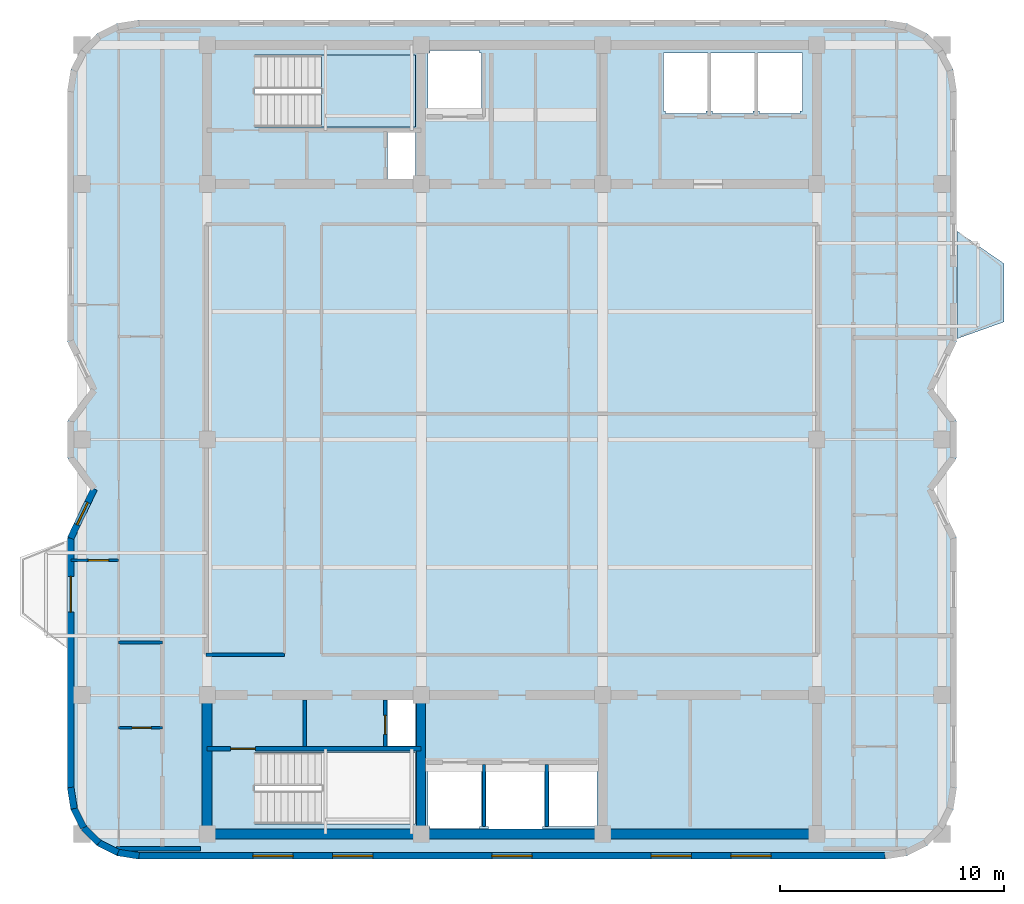
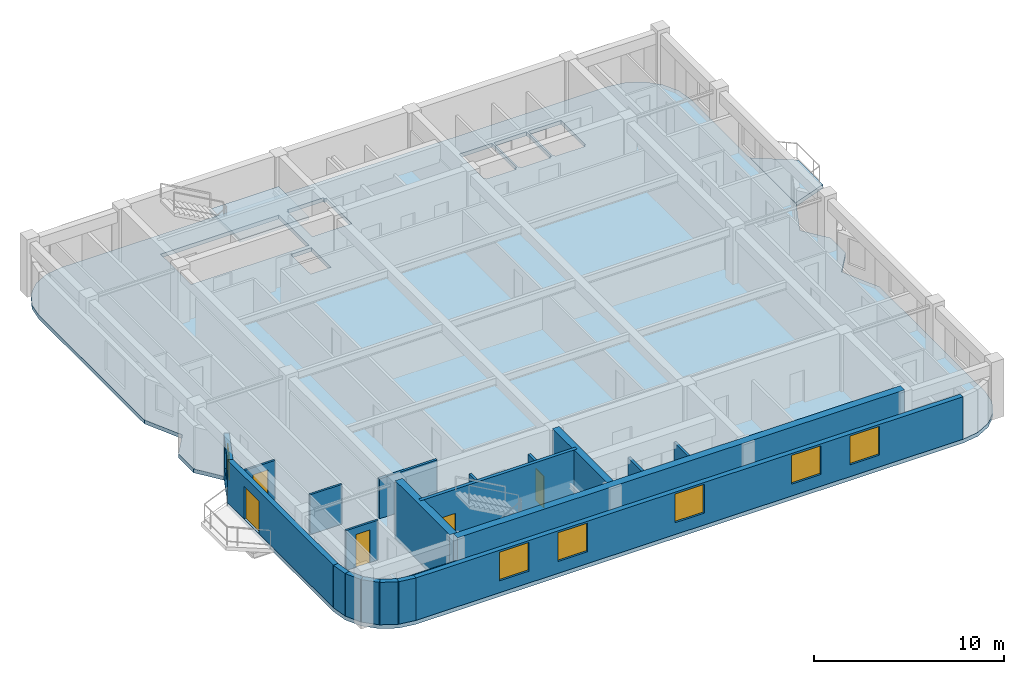
# One storey, part 2 of 8: 21 walls, 6 windows, 5 doors, 3 slabs, 11 openings, 1 element without a shape of its own.
"""IFC4 building model written with IfcOpenShell, lengths in metres."""

from ifc_helpers import new_model, si_unit, direction, frame, frame_2d, origin, place, context, subcontext, project, spatial, polyline, rectangle, outline, extrude, material, layer, layer_set, type_object, element, fill, aggregate, save


model = new_model("IFC4")

# Units and contexts
model_context = context("Model", 3, precision=1e-05, world=origin(), true_north=direction((0.0, 1.0)))
body_context = subcontext(model_context, "Body", "Model", "MODEL_VIEW")
ifc_project = project(units=[si_unit("LENGTHUNIT", "METRE"), si_unit("AREAUNIT", "SQUARE_METRE"), si_unit("VOLUMEUNIT", "CUBIC_METRE"), si_unit("PLANEANGLEUNIT", "RADIAN"), si_unit("MASSUNIT", "GRAM", prefix="KILO")], contexts=[model_context])

# Site, building, storey
site_placement = place(None, origin())
site = spatial("IfcSite", under=ifc_project, at=site_placement, CompositionType="ELEMENT")
building_placement = place(site_placement, origin())
building = spatial("IfcBuilding", under=site, at=building_placement, Name="Svetorya Sky Lyceum", CompositionType="ELEMENT")
storey_placement = place(building_placement, frame((0.0, 0.0, 278.699951171875)))
storey = spatial("IfcBuildingStorey", under=building, at=storey_placement, Name="L70", CompositionType="ELEMENT", Elevation=278.699951171875)

# Slab
ifc_material_1 = material(Name="Concrete C40/50", Category="concrete")
ifc_layer_1 = layer(ifc_material_1, 0.25)
ifc_layer_set_1 = layer_set([ifc_layer_1], Name="Concrete C40/50")
slab_type_1 = type_object("IfcSlabType", Name="SL-BAL-250", PredefinedType="FLOOR", material=ifc_layer_set_1)
slab_1_placement = place(storey_placement, frame((0.0, 0.0, -0.25)))
element("IfcSlab", 1, at=slab_1_placement, inside=storey, type_object=slab_type_1, Name="L70 Chamfered Loggia Balcony BAL-E1", PredefinedType="FLOOR", context=body_context, shape_type="SweptSolid", body=[
    extrude(outline(polyline([(59.050048828125, 32.699951171875), (61.14990234375, 33.449951171875), (61.14990234375, 36.050048828125), (59.050048828125, 37.5), (59.050048828125, 32.699951171875)])), origin(), (0.0, 0.0, 1.0), 0.25),
])

# Stair, slab
stair_type = type_object("IfcStairType", Name="STR-ST-N", PredefinedType="HALF_TURN_STAIR", material=ifc_material_1)
stair_placement = place(storey_placement, origin())
stair = element("IfcStair", 2, at=stair_placement, inside=storey, type_object=stair_type, Name="L70 North Core Smoke-Free Exit Stair N3", PredefinedType="HALF_TURN_STAIR")
ifc_layer_2 = layer(ifc_material_1, 0.199951171875)
ifc_layer_set_2 = layer_set([ifc_layer_2], Name="Concrete C40/50")
slab_type_2 = type_object("IfcSlabType", Name="SL-STR-LAND-200", PredefinedType="LANDING", material=ifc_layer_set_2)
slab_2_placement = place(storey_placement, frame((0.0, 0.0, 1.650146484375)))
slab_2 = element("IfcSlab", 3, at=slab_2_placement, type_object=slab_type_2, Name="ST-N landing 1", PredefinedType="LANDING", context=body_context, shape_type="SweptSolid", body=[
    extrude(outline(polyline([(30.699951171875, 42.14990234375), (34.89990234375, 42.14990234375), (34.89990234375, 45.35009765625), (30.699951171875, 45.35009765625), (30.699951171875, 42.14990234375)])), origin(), (0.0, 0.0, 1.0), 0.199951171875),
])
aggregate(stair, [slab_2])

# Slab
ifc_layer_3 = layer(ifc_material_1, 0.25)
ifc_layer_set_3 = layer_set([ifc_layer_3], Name="Concrete C40/50")
slab_type_3 = type_object("IfcSlabType", Name="SL-TWR-250", PredefinedType="FLOOR", material=ifc_layer_set_3)
slab_3_placement = place(storey_placement, frame((0.0, 0.0, -0.25)))
element("IfcSlab", 4, at=slab_3_placement, inside=storey, type_object=slab_type_3, Name="L70 Structural Floor Slab", PredefinedType="FLOOR", context=body_context, shape_type="SweptSolid", body=[
    extrude(outline(polyline([(19.360107421875, 12.679931640625), (19.5166015625, 11.691162109375), (19.97119140625, 10.799072265625), (20.67919921875, 10.091064453125), (21.571044921875, 9.63671875), (22.56005859375, 9.47998046875), (55.840087890625, 9.47998046875), (56.828857421875, 9.63671875), (57.720947265625, 10.091064453125), (58.428955078125, 10.799072265625), (58.88330078125, 11.691162109375), (59.0400390625, 12.679931640625), (59.0400390625, 23.800048828125), (57.989990234375, 26.0), (59.0400390625, 27.39990234375), (59.0400390625, 29.0), (57.989990234375, 30.39990234375), (59.0400390625, 32.60009765625), (59.0400390625, 43.719970703125), (58.88330078125, 44.708984375), (58.428955078125, 45.600830078125), (57.720947265625, 46.308837890625), (56.828857421875, 46.763427734375), (55.840087890625, 46.919921875), (22.56005859375, 46.919921875), (21.571044921875, 46.763427734375), (20.67919921875, 46.308837890625), (19.97119140625, 45.600830078125), (19.5166015625, 44.708984375), (19.360107421875, 43.719970703125), (19.360107421875, 32.60009765625), (20.409912109375, 30.39990234375), (19.360107421875, 29.0), (19.360107421875, 27.39990234375), (20.409912109375, 26.0), (19.360107421875, 23.800048828125), (19.360107421875, 12.679931640625)]), holes=[polyline([(37.85009765625, 10.949951171875), (37.75, 10.949951171875), (37.75, 10.85009765625), (35.550048828125, 10.85009765625), (35.550048828125, 10.949951171875), (35.449951171875, 10.949951171875), (35.449951171875, 13.64990234375), (35.550048828125, 13.64990234375), (37.75, 13.64990234375), (37.85009765625, 13.64990234375), (37.85009765625, 10.949951171875)]), polyline([(38.14990234375, 10.800048828125), (38.14990234375, 10.949951171875), (38.050048828125, 10.949951171875), (38.050048828125, 13.64990234375), (38.14990234375, 13.64990234375), (38.14990234375, 13.699951171875), (40.550048828125, 13.699951171875), (40.550048828125, 13.64990234375), (40.64990234375, 13.64990234375), (40.64990234375, 10.949951171875), (40.550048828125, 10.949951171875), (40.550048828125, 10.800048828125), (38.14990234375, 10.800048828125)]), polyline([(27.719970703125, 11.050048828125), (27.719970703125, 14.25), (34.89990234375, 14.25), (34.89990234375, 11.050048828125), (27.719970703125, 11.050048828125)]), polyline([(33.64990234375, 14.52001953125), (33.64990234375, 16.580078125), (34.89990234375, 16.580078125), (34.89990234375, 14.52001953125), (33.64990234375, 14.52001953125)]), polyline([(33.64990234375, 39.820068359375), (33.64990234375, 41.89990234375), (34.89990234375, 41.89990234375), (34.89990234375, 39.820068359375), (33.64990234375, 39.820068359375)]), polyline([(27.719970703125, 42.14990234375), (27.719970703125, 45.35009765625), (34.89990234375, 45.35009765625), (34.89990234375, 42.14990234375), (27.719970703125, 42.14990234375)]), polyline([(37.75, 42.75), (35.550048828125, 42.75), (35.449951171875, 42.75), (35.449951171875, 45.449951171875), (35.550048828125, 45.449951171875), (35.550048828125, 45.550048828125), (37.75, 45.550048828125), (37.75, 45.449951171875), (37.85009765625, 45.449951171875), (37.85009765625, 42.75), (37.75, 42.75)]), polyline([(40.85009765625, 10.949951171875), (40.85009765625, 13.64990234375), (43.0, 13.64990234375), (43.0, 10.949951171875), (40.85009765625, 10.949951171875)]), polyline([(46.050048828125, 42.75), (46.050048828125, 42.85009765625), (45.949951171875, 42.85009765625), (45.949951171875, 45.449951171875), (46.050048828125, 45.449951171875), (47.85009765625, 45.449951171875), (47.949951171875, 45.449951171875), (47.949951171875, 42.85009765625), (47.85009765625, 42.85009765625), (47.85009765625, 42.75), (46.050048828125, 42.75)]), polyline([(50.050048828125, 42.85009765625), (49.949951171875, 42.85009765625), (49.949951171875, 42.75), (48.14990234375, 42.75), (48.14990234375, 42.85009765625), (48.050048828125, 42.85009765625), (48.050048828125, 45.449951171875), (48.14990234375, 45.449951171875), (49.949951171875, 45.449951171875), (50.050048828125, 45.449951171875), (50.050048828125, 42.85009765625)]), polyline([(52.14990234375, 42.85009765625), (52.050048828125, 42.85009765625), (52.050048828125, 42.75), (50.25, 42.75), (50.25, 42.85009765625), (50.14990234375, 42.85009765625), (50.14990234375, 45.449951171875), (50.25, 45.449951171875), (52.050048828125, 45.449951171875), (52.14990234375, 45.449951171875), (52.14990234375, 42.85009765625)])]), origin(), (0.0, 0.0, 1.0), 0.25),
])

# Walls
ifc_layer_4 = layer(ifc_material_1, 0.39990234375)
ifc_layer_set_4 = layer_set([ifc_layer_4], Name="Concrete C40/50")
wall_type_1 = type_object("IfcWallType", Name="WL-CORE-400", PredefinedType="SHEAR", material=ifc_layer_set_4)
wall_1_placement = place(storey_placement, frame((35.14990234375, 10.824951171875, 0.0), z_axis=(0.0, 0.0, 1.0), x_axis=(0.0, 1.0, 0.0)))
element("IfcWall", 5, at=wall_1_placement, inside=storey, type_object=wall_type_1, Name="L70 SC Internal Shear Web WEB1", PredefinedType="SHEAR", context=body_context, shape_type="SweptSolid", body=[
    extrude(rectangle(XDim=5.75, YDim=0.39990234375, at=frame_2d((2.875, 0.0))), origin(), (0.0, 0.0, 1.0), 3.699951171875),
])
ifc_material_2 = material(Name="Concrete C50/60", Category="concrete")
ifc_layer_5 = layer(ifc_material_2, 0.449951171875)
ifc_layer_set_5 = layer_set([ifc_layer_5], Name="Concrete C50/60")
wall_type_2 = type_object("IfcWallType", Name="WL-CORE-450", PredefinedType="SHEAR", material=ifc_layer_set_5)
wall_2_placement = place(storey_placement, frame((52.800048828125, 10.60009765625, 0.0), z_axis=(0.0, 0.0, 1.0), x_axis=(-1.0, 0.0, 0.0)))
element("IfcWall", 6, at=wall_2_placement, inside=storey, type_object=wall_type_2, Name="L70 SC Outer Core Shear Wall", PredefinedType="SHEAR", context=body_context, shape_type="SweptSolid", body=[
    extrude(rectangle(XDim=27.199951171875, YDim=0.449951171875, at=frame_2d((13.60009765625, 0.0))), origin(), (0.0, 0.0, 1.0), 3.699951171875),
])
wall_3_placement = place(storey_placement, frame((25.60009765625, 10.824951171875, 0.0), z_axis=(0.0, 0.0, 1.0), x_axis=(0.0, 1.0, 0.0)))
element("IfcWall", 7, at=wall_3_placement, inside=storey, type_object=wall_type_2, Name="L70 SC West Core Shear Wall", PredefinedType="SHEAR", context=body_context, shape_type="SweptSolid", body=[
    extrude(rectangle(XDim=5.75, YDim=0.449951171875, at=frame_2d((2.875, 0.0))), origin(), (0.0, 0.0, 1.0), 3.699951171875),
])
ifc_material_3 = material(Name="Putilovo limestone rainscreen on autoclaved cellular masonry", Category="masonry")
ifc_layer_6 = layer(ifc_material_3, 0.300048828125)
ifc_layer_set_6 = layer_set([ifc_layer_6], Name="Putilovo limestone rainscreen on autoclaved cellular masonry")
wall_type_3 = type_object("IfcWallType", Name="WL-EXT-300", PredefinedType="SOLIDWALL", material=ifc_layer_set_6)
wall_4_placement = place(storey_placement, frame((19.510009765625, 12.679931640625, 0.0), z_axis=(0.0, 0.0, 1.0), x_axis=(0.156343617883, -0.987702725088, 0.0)))
element("IfcWall", 8, at=wall_4_placement, inside=storey, type_object=wall_type_3, Name="L70 Limestone Exterior Wall 1M", PredefinedType="SOLIDWALL", context=body_context, shape_type="SweptSolid", body=[
    extrude(rectangle(XDim=0.9541015625, YDim=0.300048828125, at=frame_2d((0.47705078125, 0.0))), origin(), (0.0, 0.0, 1.0), 2.72998046875),
])
for number, where, z_axis, x_axis, name in (
    (9, (19.6591796875, 11.737548828125, 0.0), (0.0, 0.0, 1.0), (0.454056065666, -0.890973113642, 0.0), "L70 Limestone Exterior Wall 2M"),
    (10, (20.092529296875, 10.88720703125, 0.0), (0.0, 0.0, 1.0), (0.707106781187, -0.707106781187, 0.0), "L70 Limestone Exterior Wall 3M"),
):
    element("IfcWall", number, at=place(storey_placement, frame(where, z_axis=z_axis, x_axis=x_axis)), inside=storey, type_object=wall_type_3, Name=name, PredefinedType="SOLIDWALL", context=body_context, shape_type="SweptSolid", body=[
        extrude(rectangle(XDim=0.954345703125, YDim=0.300048828125, at=frame_2d((0.47705078125, 0.0))), origin(), (0.0, 0.0, 1.0), 2.72998046875),
    ])
wall_5_placement = place(storey_placement, frame((20.767333984375, 10.21240234375, 0.0), z_axis=(0.0, 0.0, 1.0), x_axis=(0.891023873617, -0.45395644796, 0.0)))
element("IfcWall", 11, at=wall_5_placement, inside=storey, type_object=wall_type_3, Name="L70 Limestone Exterior Wall 4M", PredefinedType="SOLIDWALL", context=body_context, shape_type="SweptSolid", body=[
    extrude(rectangle(XDim=0.9541015625, YDim=0.300048828125, at=frame_2d((0.47705078125, 0.0))), origin(), (0.0, 0.0, 1.0), 2.72998046875),
])
wall_6_placement = place(storey_placement, frame((21.617431640625, 9.779296875, 0.0), z_axis=(0.0, 0.0, 1.0), x_axis=(0.987669453596, -0.156553666304, 0.0)))
element("IfcWall", 12, at=wall_6_placement, inside=storey, type_object=wall_type_3, Name="L70 Limestone Exterior Wall 5M", PredefinedType="SOLIDWALL", context=body_context, shape_type="SweptSolid", body=[
    extrude(rectangle(XDim=0.954345703125, YDim=0.300048828125, at=frame_2d((0.47705078125, 0.0))), origin(), (0.0, 0.0, 1.0), 2.72998046875),
])

# Wall, openings, windows
wall_7_placement = place(storey_placement, frame((22.56005859375, 9.6298828125, 0.0), z_axis=(0.0, 0.0, 1.0), x_axis=(1.0, 0.0, 0.0)))
wall_7 = element("IfcWall", 13, at=wall_7_placement, inside=storey, type_object=wall_type_3, Name="L70 Limestone Exterior Wall 6M", PredefinedType="SOLIDWALL", context=body_context, shape_type="SweptSolid", body=[
    extrude(rectangle(XDim=33.280029296875, YDim=0.300048828125, at=frame_2d((16.64013671875, 0.0))), origin(), (0.0, 0.0, 1.0), 2.72998046875),
])
opening_1_placement = place(wall_7_placement, frame((5.080078125, 0.0, 0.760009765625)))
opening_1 = element("IfcOpeningElement", 14, at=opening_1_placement, cuts=wall_7, Name="Opening W-R1", PredefinedType="OPENING", context=body_context, shape_type="SweptSolid", body=[
    extrude(rectangle(XDim=1.800048828125, YDim=1.85009765625, at=frame_2d((0.89990234375, 0.925048828125))), frame((0.0, 0.159912109375, 0.0), z_axis=(0.0, -1.0, 0.0), x_axis=(1.0, 0.0, 0.0)), (0.0, 0.0, 1.0), 0.320068359375),
])
opening_2_placement = place(wall_7_placement, frame((8.63330078125, 0.0, 0.760009765625)))
opening_2 = element("IfcOpeningElement", 15, at=opening_2_placement, cuts=wall_7, Name="Opening W-R1", PredefinedType="OPENING", context=body_context, shape_type="SweptSolid", body=[
    extrude(rectangle(XDim=1.800048828125, YDim=1.85009765625, at=frame_2d((0.89990234375, 0.925048828125))), frame((0.0, 0.159912109375, 0.0), z_axis=(0.0, -1.0, 0.0), x_axis=(1.0, 0.0, 0.0)), (0.0, 0.0, 1.0), 0.320068359375),
])
opening_3_placement = place(wall_7_placement, frame((15.739990234375, 0.0, 0.760009765625)))
opening_3 = element("IfcOpeningElement", 16, at=opening_3_placement, cuts=wall_7, Name="Opening W-R1", PredefinedType="OPENING", context=body_context, shape_type="SweptSolid", body=[
    extrude(rectangle(XDim=1.800048828125, YDim=1.85009765625, at=frame_2d((0.89990234375, 0.925048828125))), frame((0.0, 0.159912109375, 0.0), z_axis=(0.0, -1.0, 0.0), x_axis=(1.0, 0.0, 0.0)), (0.0, 0.0, 1.0), 0.320068359375),
])
opening_4_placement = place(wall_7_placement, frame((22.8466796875, 0.0, 0.760009765625)))
opening_4 = element("IfcOpeningElement", 17, at=opening_4_placement, cuts=wall_7, Name="Opening W-R1", PredefinedType="OPENING", context=body_context, shape_type="SweptSolid", body=[
    extrude(rectangle(XDim=1.800048828125, YDim=1.85009765625, at=frame_2d((0.89990234375, 0.925048828125))), frame((0.0, 0.159912109375, 0.0), z_axis=(0.0, -1.0, 0.0), x_axis=(1.0, 0.0, 0.0)), (0.0, 0.0, 1.0), 0.320068359375),
])
opening_5_placement = place(wall_7_placement, frame((26.39990234375, 0.0, 0.760009765625)))
opening_5 = element("IfcOpeningElement", 18, at=opening_5_placement, cuts=wall_7, Name="Opening W-R1", PredefinedType="OPENING", context=body_context, shape_type="SweptSolid", body=[
    extrude(rectangle(XDim=1.800048828125, YDim=1.85009765625, at=frame_2d((0.89990234375, 0.925048828125))), frame((0.0, 0.159912109375, 0.0), z_axis=(0.0, -1.0, 0.0), x_axis=(1.0, 0.0, 0.0)), (0.0, 0.0, 1.0), 0.320068359375),
])
ifc_material_4 = material(Name="Thermally broken aluminium frame with triple low-E glazing", Category="aluminium")
window_type_1 = type_object("IfcWindowType", Name="WN-RES-180", PartitioningType="DOUBLE_PANEL_VERTICAL", PredefinedType="WINDOW", material=ifc_material_4)
window_1_placement = place(opening_1_placement, origin())
window_1 = element("IfcWindow", 19, at=window_1_placement, inside=storey, type_object=window_type_1, Name="L70 Facade Window W-R1.6M.1", OverallHeight=1.85009765625, OverallWidth=1.800048828125, PartitioningType="SINGLE_PANEL", PredefinedType="WINDOW", context=body_context, shape_type="SweptSolid", body=[
    extrude(rectangle(XDim=1.800048828125, YDim=1.85009765625, at=frame_2d((0.89990234375, 0.925048828125))), frame((0.0, 0.030029296875, 0.0), z_axis=(0.0, -1.0, 0.0), x_axis=(1.0, 0.0, 0.0)), (0.0, 0.0, 1.0), 0.06005859375),
])
fill(opening_1, window_1)
window_2_placement = place(opening_2_placement, origin())
window_2 = element("IfcWindow", 20, at=window_2_placement, inside=storey, type_object=window_type_1, Name="L70 Facade Window W-R1.6M.2", OverallHeight=1.85009765625, OverallWidth=1.800048828125, PartitioningType="SINGLE_PANEL", PredefinedType="WINDOW", context=body_context, shape_type="SweptSolid", body=[
    extrude(rectangle(XDim=1.800048828125, YDim=1.85009765625, at=frame_2d((0.89990234375, 0.925048828125))), frame((0.0, 0.030029296875, 0.0), z_axis=(0.0, -1.0, 0.0), x_axis=(1.0, 0.0, 0.0)), (0.0, 0.0, 1.0), 0.06005859375),
])
fill(opening_2, window_2)
window_3_placement = place(opening_3_placement, origin())
window_3 = element("IfcWindow", 21, at=window_3_placement, inside=storey, type_object=window_type_1, Name="L70 Facade Window W-R1.6M.3", OverallHeight=1.85009765625, OverallWidth=1.800048828125, PartitioningType="SINGLE_PANEL", PredefinedType="WINDOW", context=body_context, shape_type="SweptSolid", body=[
    extrude(rectangle(XDim=1.800048828125, YDim=1.85009765625, at=frame_2d((0.89990234375, 0.925048828125))), frame((0.0, 0.030029296875, 0.0), z_axis=(0.0, -1.0, 0.0), x_axis=(1.0, 0.0, 0.0)), (0.0, 0.0, 1.0), 0.06005859375),
])
fill(opening_3, window_3)
window_4_placement = place(opening_4_placement, origin())
window_4 = element("IfcWindow", 22, at=window_4_placement, inside=storey, type_object=window_type_1, Name="L70 Facade Window W-R1.6M.4", OverallHeight=1.85009765625, OverallWidth=1.800048828125, PartitioningType="SINGLE_PANEL", PredefinedType="WINDOW", context=body_context, shape_type="SweptSolid", body=[
    extrude(rectangle(XDim=1.800048828125, YDim=1.85009765625, at=frame_2d((0.89990234375, 0.925048828125))), frame((0.0, 0.030029296875, 0.0), z_axis=(0.0, -1.0, 0.0), x_axis=(1.0, 0.0, 0.0)), (0.0, 0.0, 1.0), 0.06005859375),
])
fill(opening_4, window_4)
window_5_placement = place(opening_5_placement, origin())
window_5 = element("IfcWindow", 23, at=window_5_placement, inside=storey, type_object=window_type_1, Name="L70 Facade Window W-R1.6M.5", OverallHeight=1.85009765625, OverallWidth=1.800048828125, PartitioningType="SINGLE_PANEL", PredefinedType="WINDOW", context=body_context, shape_type="SweptSolid", body=[
    extrude(rectangle(XDim=1.800048828125, YDim=1.85009765625, at=frame_2d((0.89990234375, 0.925048828125))), frame((0.0, 0.030029296875, 0.0), z_axis=(0.0, -1.0, 0.0), x_axis=(1.0, 0.0, 0.0)), (0.0, 0.0, 1.0), 0.06005859375),
])
fill(opening_5, window_5)

# Wall, opening, window
wall_8_placement = place(storey_placement, frame((20.56005859375, 26.0, 0.0), z_axis=(0.0, 0.0, 1.0), x_axis=(-0.430753686581, -0.902469534941, 0.0)))
wall_8 = element("IfcWall", 24, at=wall_8_placement, inside=storey, type_object=wall_type_3, Name="L70 Limestone Exterior Wall 35M", PredefinedType="SOLIDWALL", context=body_context, shape_type="SweptSolid", body=[
    extrude(rectangle(XDim=2.437744140625, YDim=0.300048828125, at=frame_2d((1.21875, 0.0))), origin(), (0.0, 0.0, 1.0), 2.72998046875),
])
opening_6_placement = place(wall_8_placement, frame((0.6689453125, 0.0, 0.919921875)))
opening_6 = element("IfcOpeningElement", 25, at=opening_6_placement, cuts=wall_8, Name="Opening W-R3", PredefinedType="OPENING", context=body_context, shape_type="SweptSolid", body=[
    extrude(rectangle(XDim=1.10009765625, YDim=1.64990234375, at=frame_2d((0.550048828125, 0.824951171875))), frame((0.0, 0.159912109375, 0.0), z_axis=(0.0, -1.0, 0.0), x_axis=(1.0, 0.0, 0.0)), (0.0, 0.0, 1.0), 0.320068359375),
])
window_type_2 = type_object("IfcWindowType", Name="WN-RES-110", PartitioningType="SINGLE_PANEL", PredefinedType="WINDOW", material=ifc_material_4)
window_6_placement = place(opening_6_placement, origin())
window_6 = element("IfcWindow", 26, at=window_6_placement, inside=storey, type_object=window_type_2, Name="L70 Facade Window W-R3.35M.1", OverallHeight=1.64990234375, OverallWidth=1.10009765625, PartitioningType="SINGLE_PANEL", PredefinedType="WINDOW", context=body_context, shape_type="SweptSolid", body=[
    extrude(rectangle(XDim=1.10009765625, YDim=1.64990234375, at=frame_2d((0.550048828125, 0.824951171875))), frame((0.0, 0.030029296875, 0.0), z_axis=(0.0, -1.0, 0.0), x_axis=(1.0, 0.0, 0.0)), (0.0, 0.0, 1.0), 0.06005859375),
])
fill(opening_6, window_6)

# Wall, opening, door
wall_9_placement = place(storey_placement, frame((19.510009765625, 23.800048828125, 0.0), z_axis=(0.0, 0.0, 1.0), x_axis=(0.0, -1.0, 0.0)))
wall_9 = element("IfcWall", 27, at=wall_9_placement, inside=storey, type_object=wall_type_3, Name="L70 Limestone Exterior Wall 36M", PredefinedType="SOLIDWALL", context=body_context, shape_type="SweptSolid", body=[
    extrude(rectangle(XDim=11.1201171875, YDim=0.300048828125, at=frame_2d((5.56005859375, 0.0))), origin(), (0.0, 0.0, 1.0), 2.72998046875),
])
opening_7_placement = place(wall_9_placement, frame((1.699951171875, 0.0, 0.0)))
opening_7 = element("IfcOpeningElement", 28, at=opening_7_placement, cuts=wall_9, Name="Opening D-BL1", PredefinedType="OPENING", context=body_context, shape_type="SweptSolid", body=[
    extrude(rectangle(XDim=1.60009765625, YDim=2.10009765625, at=frame_2d((0.800048828125, 1.050048828125))), frame((0.0, 0.159912109375, 0.0), z_axis=(0.0, -1.0, 0.0), x_axis=(1.0, 0.0, 0.0)), (0.0, 0.0, 1.0), 0.320068359375),
])
ifc_material_5 = material(Name="Insulated glazed aluminium balcony door", Category="aluminium")
door_type_1 = type_object("IfcDoorType", Name="DR-BAL-1600", OperationType="DOUBLE_DOOR_SINGLE_SWING", PredefinedType="DOOR", material=ifc_material_5)
door_1_placement = place(opening_7_placement, origin())
door_1 = element("IfcDoor", 29, at=door_1_placement, inside=storey, type_object=door_type_1, Name="L70 Balcony BAL-W1 Door", OperationType="DOUBLE_DOOR_SINGLE_SWING", OverallHeight=2.10009765625, OverallWidth=1.60009765625, PredefinedType="DOOR", context=body_context, shape_type="SweptSolid", body=[
    extrude(rectangle(XDim=1.60009765625, YDim=2.10009765625, at=frame_2d((0.800048828125, 1.050048828125))), frame((0.0, 0.02490234375, 0.0), z_axis=(0.0, -1.0, 0.0), x_axis=(1.0, 0.0, 0.0)), (0.0, 0.0, 1.0), 0.050048828125),
])
fill(opening_7, door_1)

ifc_material_6 = material(Name="Twin-stud galvanized framing with double fireboard", Category="gypsum")
ifc_layer_7 = layer(ifc_material_6, 0.1201171875)
ifc_layer_set_7 = layer_set([ifc_layer_7], Name="Twin-stud galvanized framing with double fireboard")
wall_type_4 = type_object("IfcWallType", Name="WL-PART-120", PredefinedType="PARTITIONING", material=ifc_layer_set_7)
wall_10_placement = place(storey_placement, frame((21.64990234375, 15.35009765625, 0.0), z_axis=(0.0, 0.0, 1.0), x_axis=(1.0, 0.0, 0.0)))
wall_10 = element("IfcWall", 30, at=wall_10_placement, inside=storey, type_object=wall_type_4, Name="L70 Interior Partition W1-WH1", PredefinedType="PARTITIONING", context=body_context, shape_type="SweptSolid", body=[
    extrude(rectangle(XDim=1.9501953125, YDim=0.1201171875, at=frame_2d((0.97509765625, 0.0))), origin(), (0.0, 0.0, 1.0), 2.56005859375),
])
opening_8_placement = place(wall_10_placement, frame((0.60009765625, 0.0, 0.0)))
opening_8 = element("IfcOpeningElement", 31, at=opening_8_placement, cuts=wall_10, Name="Opening D-BT1", PredefinedType="OPENING", context=body_context, shape_type="SweptSolid", body=[
    extrude(rectangle(XDim=0.85009765625, YDim=2.10009765625, at=frame_2d((0.425048828125, 1.050048828125))), frame((0.0, 0.070068359375, 0.0), z_axis=(0.0, -1.0, 0.0), x_axis=(1.0, 0.0, 0.0)), (0.0, 0.0, 1.0), 0.14013671875),
])
ifc_material_7 = material(Name="Moisture-resistant laminate bathroom door")
door_type_2 = type_object("IfcDoorType", Name="DR-WET-850", OperationType="SINGLE_SWING_LEFT", PredefinedType="DOOR", material=ifc_material_7)
door_2_placement = place(opening_8_placement, origin())
door_2 = element("IfcDoor", 32, at=door_2_placement, inside=storey, type_object=door_type_2, Name="Apartment W1 Bathroom Door", OperationType="SINGLE_SWING_LEFT", OverallHeight=2.10009765625, OverallWidth=0.85009765625, PredefinedType="DOOR", context=body_context, shape_type="SweptSolid", body=[
    extrude(rectangle(XDim=0.85009765625, YDim=2.10009765625, at=frame_2d((0.425048828125, 1.050048828125))), frame((0.0, 0.02490234375, 0.0), z_axis=(0.0, -1.0, 0.0), x_axis=(1.0, 0.0, 0.0)), (0.0, 0.0, 1.0), 0.050048828125),
])
fill(opening_8, door_2)

# Wall
wall_11_placement = place(storey_placement, frame((21.64990234375, 19.14990234375, 0.0), z_axis=(0.0, 0.0, 1.0), x_axis=(1.0, 0.0, 0.0)))
element("IfcWall", 33, at=wall_11_placement, inside=storey, type_object=wall_type_4, Name="L70 Interior Partition W1-WH2", PredefinedType="PARTITIONING", context=body_context, shape_type="SweptSolid", body=[
    extrude(rectangle(XDim=1.9501953125, YDim=0.1201171875, at=frame_2d((0.97509765625, 0.0))), origin(), (0.0, 0.0, 1.0), 2.56005859375),
])

# Wall, opening, door
wall_12_placement = place(storey_placement, frame((19.530029296875, 22.820068359375, 0.0), z_axis=(0.0, 0.0, 1.0), x_axis=(1.0, 0.0, 0.0)))
wall_12 = element("IfcWall", 34, at=wall_12_placement, inside=storey, type_object=wall_type_4, Name="L70 Interior Partition W1-WL1", PredefinedType="PARTITIONING", context=body_context, shape_type="SweptSolid", body=[
    extrude(rectangle(XDim=2.119873046875, YDim=0.1201171875, at=frame_2d((1.06005859375, 0.0))), origin(), (0.0, 0.0, 1.0), 2.56005859375),
])
opening_9_placement = place(wall_12_placement, frame((0.77001953125, 0.0, 0.0)))
opening_9 = element("IfcOpeningElement", 35, at=opening_9_placement, cuts=wall_12, Name="Opening D-RM1", PredefinedType="OPENING", context=body_context, shape_type="SweptSolid", body=[
    extrude(rectangle(XDim=0.89990234375, YDim=2.10009765625, at=frame_2d((0.449951171875, 1.050048828125))), frame((0.0, 0.070068359375, 0.0), z_axis=(0.0, -1.0, 0.0), x_axis=(1.0, 0.0, 0.0)), (0.0, 0.0, 1.0), 0.14013671875),
])
ifc_material_8 = material(Name="Lacquered birch veneer internal door")
door_type_3 = type_object("IfcDoorType", Name="DR-INT-900", OperationType="SINGLE_SWING_LEFT", PredefinedType="DOOR", material=ifc_material_8)
door_3_placement = place(opening_9_placement, origin())
door_3 = element("IfcDoor", 36, at=door_3_placement, inside=storey, type_object=door_type_3, Name="Apartment W1 Master Bedroom Door", OperationType="SINGLE_SWING_LEFT", OverallHeight=2.10009765625, OverallWidth=0.89990234375, PredefinedType="DOOR", context=body_context, shape_type="SweptSolid", body=[
    extrude(rectangle(XDim=0.89990234375, YDim=2.10009765625, at=frame_2d((0.449951171875, 1.050048828125))), frame((0.0, 0.02490234375, 0.0), z_axis=(0.0, -1.0, 0.0), x_axis=(1.0, 0.0, 0.0)), (0.0, 0.0, 1.0), 0.050048828125),
])
fill(opening_9, door_3)

# Wall
ifc_material_9 = material(Name="Autoclaved cellular masonry blockwork with acoustic render", Category="masonry")
ifc_layer_8 = layer(ifc_material_9, 0.14990234375)
ifc_layer_set_8 = layer_set([ifc_layer_8], Name="Autoclaved cellular masonry blockwork with acoustic render")
wall_type_5 = type_object("IfcWallType", Name="WL-PART-150", PredefinedType="PARTITIONING", material=ifc_layer_set_8)
wall_13_placement = place(storey_placement, frame((29.949951171875, 14.5, 0.0), z_axis=(0.0, 0.0, 1.0), x_axis=(0.0, 1.0, 0.0)))
element("IfcWall", 37, at=wall_13_placement, inside=storey, type_object=wall_type_5, Name="L70 Interior Partition SC-SWD1", PredefinedType="PARTITIONING", context=body_context, shape_type="SweptSolid", body=[
    extrude(rectangle(XDim=2.080078125, YDim=0.14990234375, at=frame_2d((1.0400390625, 0.0))), origin(), (0.0, 0.0, 1.0), 2.56005859375),
])

# Wall, opening, door
wall_14_placement = place(storey_placement, frame((33.550048828125, 14.5, 0.0), z_axis=(0.0, 0.0, 1.0), x_axis=(0.0, 1.0, 0.0)))
wall_14 = element("IfcWall", 38, at=wall_14_placement, inside=storey, type_object=wall_type_5, Name="L70 Interior Partition SC-SWD2", PredefinedType="PARTITIONING", context=body_context, shape_type="SweptSolid", body=[
    extrude(rectangle(XDim=2.080078125, YDim=0.14990234375, at=frame_2d((1.0400390625, 0.0))), origin(), (0.0, 0.0, 1.0), 2.56005859375),
])
opening_10_placement = place(wall_14_placement, frame((0.550048828125, 0.0, 0.0)))
opening_10 = element("IfcOpeningElement", 39, at=opening_10_placement, cuts=wall_14, Name="Opening D-SH1", PredefinedType="OPENING", context=body_context, shape_type="SweptSolid", body=[
    extrude(rectangle(XDim=0.85009765625, YDim=2.050048828125, at=frame_2d((0.425048828125, 1.02490234375))), frame((0.0, 0.0849609375, 0.0), z_axis=(0.0, -1.0, 0.0), x_axis=(1.0, 0.0, 0.0)), (0.0, 0.0, 1.0), 0.169921875),
])
ifc_material_10 = material(Name="Insulated galvanized riser inspection fire door")
door_type_4 = type_object("IfcDoorType", Name="DR-SHFT-850", OperationType="SINGLE_SWING_LEFT", PredefinedType="TRAPDOOR", material=ifc_material_10)
door_4_placement = place(opening_10_placement, origin())
door_4 = element("IfcDoor", 40, at=door_4_placement, inside=storey, type_object=door_type_4, Name="L70 South Riser Access Door", OperationType="SINGLE_SWING_RIGHT", OverallHeight=2.050048828125, OverallWidth=0.85009765625, PredefinedType="TRAPDOOR", context=body_context, shape_type="SweptSolid", body=[
    extrude(rectangle(XDim=0.85009765625, YDim=2.050048828125, at=frame_2d((0.425048828125, 1.02490234375))), frame((0.0, 0.02490234375, 0.0), z_axis=(0.0, -1.0, 0.0), x_axis=(1.0, 0.0, 0.0)), (0.0, 0.0, 1.0), 0.050048828125),
])
fill(opening_10, door_4)

# Walls
for number, where, z_axis, x_axis, name in (
    (41, (37.949951171875, 10.949951171875, 0.0), (0.0, 0.0, 1.0), (0.0, 1.0, 0.0), "L70 Interior Partition SC-SHD1"),
    (42, (40.75, 10.949951171875, 0.0), (0.0, 0.0, 1.0), (0.0, 1.0, 0.0), "L70 Interior Partition SC-SHD2"),
):
    element("IfcWall", number, at=place(storey_placement, frame(where, z_axis=z_axis, x_axis=x_axis)), inside=storey, type_object=wall_type_5, Name=name, PredefinedType="PARTITIONING", context=body_context, shape_type="SweptSolid", body=[
        extrude(rectangle(XDim=2.75, YDim=0.14990234375, at=frame_2d((1.375, 0.0))), origin(), (0.0, 0.0, 1.0), 2.56005859375),
    ])
wall_15_placement = place(storey_placement, frame((25.550048828125, 18.60009765625, 0.0), z_axis=(0.0, 0.0, 1.0), x_axis=(1.0, 0.0, 0.0)))
element("IfcWall", 43, at=wall_15_placement, inside=storey, type_object=wall_type_5, Name="L70 Interior Partition OFF-CS-W", PredefinedType="PARTITIONING", context=body_context, shape_type="SweptSolid", body=[
    extrude(rectangle(XDim=3.5, YDim=0.14990234375, at=frame_2d((1.75, 0.0))), origin(), (0.0, 0.0, 1.0), 2.56005859375),
])
ifc_material_11 = material(Name="Autoclaved cellular masonry blockwork with gypsum plaster", Category="masonry")
ifc_layer_9 = layer(ifc_material_11, 0.199951171875)
ifc_layer_set_9 = layer_set([ifc_layer_9], Name="Autoclaved cellular masonry blockwork with gypsum plaster")
wall_type_6 = type_object("IfcWallType", Name="WL-PART-200", PredefinedType="PARTITIONING", material=ifc_layer_set_9)
wall_16_placement = place(storey_placement, frame((21.5458984375, 9.949951171875, 0.0), z_axis=(0.0, 0.0, 1.0), x_axis=(1.0, 0.0, 0.0)))
element("IfcWall", 44, at=wall_16_placement, inside=storey, type_object=wall_type_6, Name="L70 Interior Partition W-CAP-S", PredefinedType="PARTITIONING", context=body_context, shape_type="SweptSolid", body=[
    extrude(rectangle(XDim=3.754150390625, YDim=0.199951171875, at=frame_2d((1.876953125, 0.0))), origin(), (0.0, 0.0, 1.0), 2.56005859375),
])

# Wall, opening, door
ifc_layer_10 = layer(ifc_material_2, 0.199951171875)
ifc_layer_set_10 = layer_set([ifc_layer_10], Name="Concrete C50/60")
wall_type_7 = type_object("IfcWallType", Name="WL-SHW-200", PredefinedType="SHEAR", material=ifc_layer_set_10)
wall_17_placement = place(storey_placement, frame((25.60009765625, 14.39990234375, 0.0), z_axis=(0.0, 0.0, 1.0), x_axis=(1.0, 0.0, 0.0)))
wall_17 = element("IfcWall", 45, at=wall_17_placement, inside=storey, type_object=wall_type_7, Name="L70 Structural Stair Shaft Wall SC-STW", PredefinedType="SHEAR", context=body_context, shape_type="SweptSolid", body=[
    extrude(rectangle(XDim=9.5498046875, YDim=0.199951171875, at=frame_2d((4.77490234375, 0.0))), origin(), (0.0, 0.0, 1.0), 3.699951171875),
])
opening_11_placement = place(wall_17_placement, frame((1.050048828125, 0.0, 0.0)))
opening_11 = element("IfcOpeningElement", 46, at=opening_11_placement, cuts=wall_17, Name="Opening D-ST1", PredefinedType="OPENING", context=body_context, shape_type="SweptSolid", body=[
    extrude(rectangle(XDim=1.10009765625, YDim=2.14990234375, at=frame_2d((0.550048828125, 1.074951171875))), frame((0.0, 0.10986328125, 0.0), z_axis=(0.0, -1.0, 0.0), x_axis=(1.0, 0.0, 0.0)), (0.0, 0.0, 1.0), 0.219970703125),
])
ifc_material_12 = material(Name="Powder-coated insulated galvanized stair fire door")
door_type_5 = type_object("IfcDoorType", Name="DR-FIRE-1100", OperationType="SINGLE_SWING_LEFT", PredefinedType="DOOR", material=ifc_material_12)
door_5_placement = place(opening_11_placement, origin())
door_5 = element("IfcDoor", 47, at=door_5_placement, inside=storey, type_object=door_type_5, Name="L70 Stair ST-S Vestibule Fire Door", OperationType="SINGLE_SWING_LEFT", OverallHeight=2.14990234375, OverallWidth=1.10009765625, PredefinedType="DOOR", context=body_context, shape_type="SweptSolid", body=[
    extrude(rectangle(XDim=1.10009765625, YDim=2.14990234375, at=frame_2d((0.550048828125, 1.074951171875))), frame((0.0, 0.02490234375, 0.0), z_axis=(0.0, -1.0, 0.0), x_axis=(1.0, 0.0, 0.0)), (0.0, 0.0, 1.0), 0.050048828125),
])
fill(opening_11, door_5)

save(model, "model.ifc")
